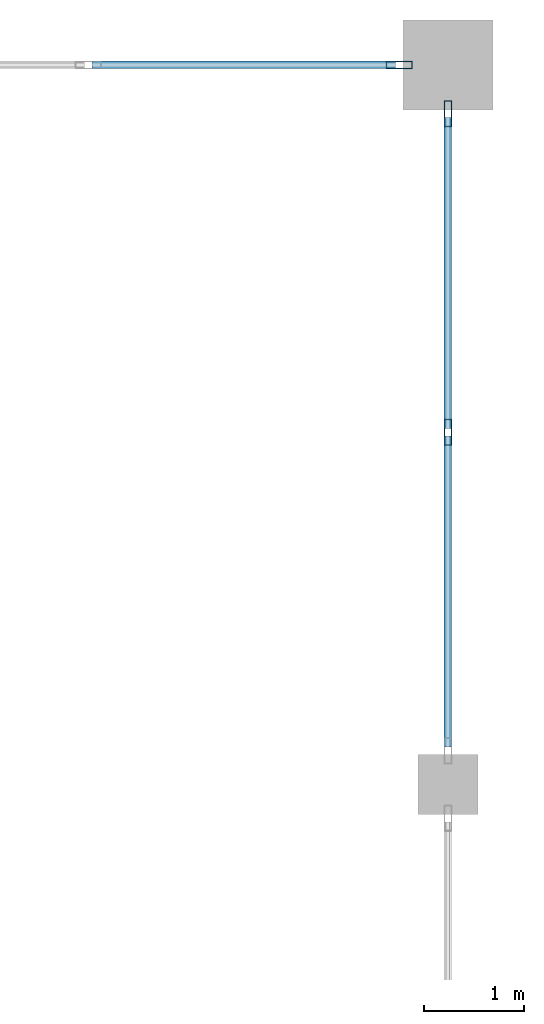
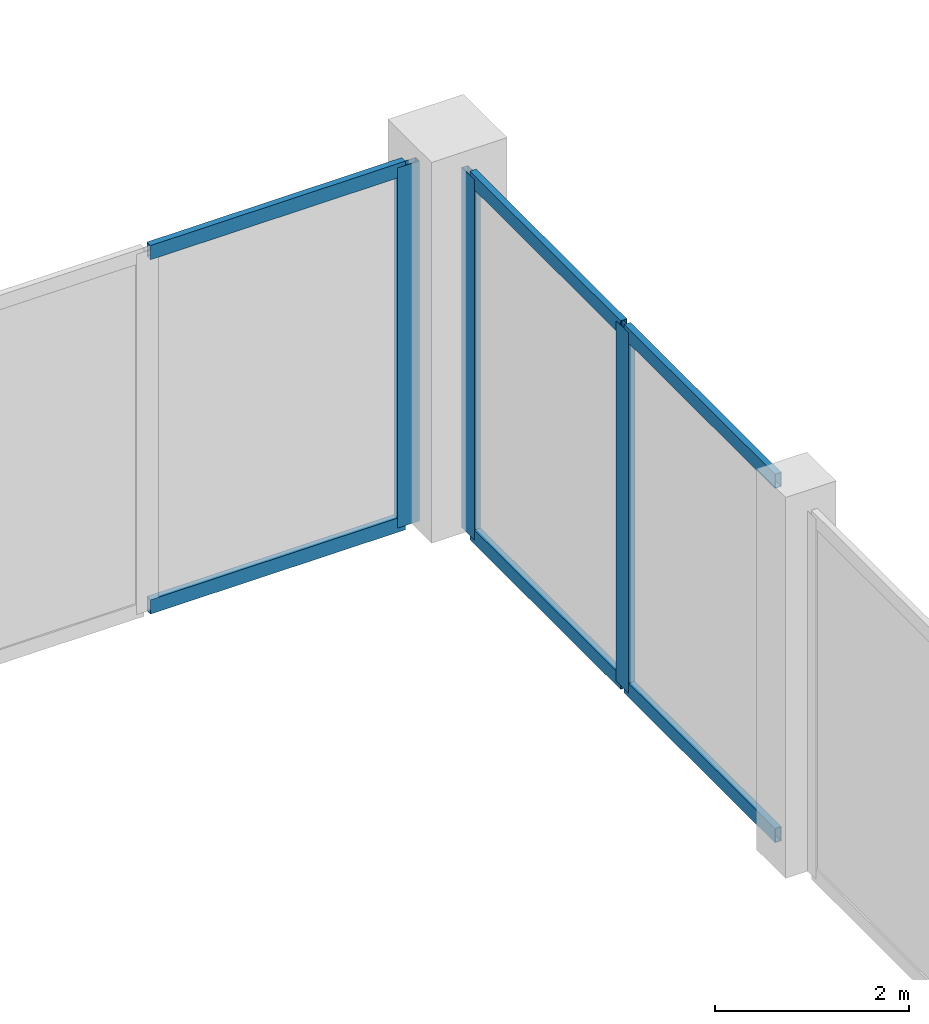
# One storey, part 32 of 99: 9 members, 2 elements without a shape of their own.
"""IFC4 building model written with IfcOpenShell, lengths in metres."""

from ifc_helpers import new_model, si_unit, direction, frame, origin, origin_2d, place, context, subcontext, project, spatial, hollow_rectangle, extrude, material, material_profile, profile_set, type_object, element, aggregate, save


model = new_model("IFC4")

# Units and contexts
model_context = context("Model", 3, precision=1e-05, world=origin(), true_north=direction((0.0, 1.0)))
body_context = subcontext(model_context, "Body", "Model", "MODEL_VIEW")
ifc_project = project(units=[si_unit("LENGTHUNIT", "METRE"), si_unit("AREAUNIT", "SQUARE_METRE"), si_unit("VOLUMEUNIT", "CUBIC_METRE"), si_unit("PLANEANGLEUNIT", "RADIAN"), si_unit("MASSUNIT", "GRAM", prefix="KILO")], contexts=[model_context])

# Site, building, storey
site_placement = place(None, origin())
site = spatial("IfcSite", under=ifc_project, at=site_placement, CompositionType="ELEMENT")
building_placement = place(site_placement, origin())
building = spatial("IfcBuilding", under=site, at=building_placement, Name="Vesperath Aquatics Centre", CompositionType="ELEMENT")
storey_placement = place(building_placement, frame((0.0, 0.0, 5.39990234375)))
storey = spatial("IfcBuildingStorey", under=building, at=storey_placement, Name="L01", CompositionType="ELEMENT", Elevation=5.39990234375)

# Curtain wall, member
ifc_material_1 = material(Name="Thermally broken anodised bronze aluminium curtain wall", Category="aluminium")
curtain_wall_type_1 = type_object("IfcCurtainWallType", Name="CW-02", PredefinedType="NOTDEFINED", material=ifc_material_1)
curtain_wall_1_placement = place(storey_placement, origin())
curtain_wall_1 = element("IfcCurtainWall", 1, at=curtain_wall_1_placement, inside=storey, type_object=curtain_wall_type_1, Name="Facade Curtain Wall CW02 L01_N_07_16", PredefinedType="NOTDEFINED")
ifc_material_2 = material(Name="Thermally broken anodised aluminium", Category="aluminium")
ifc_material_profile_1 = material_profile(ifc_material_2, hollow_rectangle(XDim=0.074951171875, YDim=0.260009765625, WallThickness=0.006103515625, at=origin_2d()), Name="CWM 75x260x6")
ifc_profile_set_1 = profile_set([ifc_material_profile_1], Name="Thermally broken anodised aluminium")
member_type_1 = type_object("IfcMemberType", Name="MB-CWM1", PredefinedType="MULLION", material=ifc_profile_set_1)
member_1_placement = place(storey_placement, frame((57.112548828125, 115.199951171875, 0.0), z_axis=(0.0, 0.0, 1.0), x_axis=(0.0, 1.0, 0.0)))
member_1 = element("IfcMember", 2, at=member_1_placement, type_object=member_type_1, Name="CW02 mullion 3", PredefinedType="MULLION", context=body_context, shape_type="SweptSolid", body=[
    extrude(hollow_rectangle(XDim=0.074951171875, YDim=0.260009765625, WallThickness=0.006103515625, at=origin_2d()), origin(), (0.0, 0.0, 1.0), 4.5400390625),
])

# Curtain wall, members
curtain_wall_type_2 = type_object("IfcCurtainWallType", Name="CW-06", PredefinedType="NOTDEFINED", material=ifc_material_1)
curtain_wall_2_placement = place(storey_placement, origin())
curtain_wall_2 = element("IfcCurtainWall", 3, at=curtain_wall_2_placement, inside=storey, type_object=curtain_wall_type_2, Name="Facade Curtain Wall CW06 L01_E_08_15", PredefinedType="NOTDEFINED")
member_2_placement = place(storey_placement, frame((57.60009765625, 111.52490234375, 0.0), z_axis=(0.0, 0.0, 1.0), x_axis=(-1.0, 0.0, 0.0)))
member_2 = element("IfcMember", 4, at=member_2_placement, type_object=member_type_1, Name="CW06 mullion 2", PredefinedType="MULLION", context=body_context, shape_type="SweptSolid", body=[
    extrude(hollow_rectangle(XDim=0.074951171875, YDim=0.260009765625, WallThickness=0.006103515625, at=origin_2d()), origin(), (0.0, 0.0, 1.0), 4.5400390625),
])
member_3_placement = place(storey_placement, frame((57.60009765625, 114.71240234375, 0.0), z_axis=(0.0, 0.0, 1.0), x_axis=(-1.0, 0.0, 0.0)))
member_3 = element("IfcMember", 5, at=member_3_placement, type_object=member_type_1, Name="CW06 mullion 3", PredefinedType="MULLION", context=body_context, shape_type="SweptSolid", body=[
    extrude(hollow_rectangle(XDim=0.074951171875, YDim=0.260009765625, WallThickness=0.006103515625, at=origin_2d()), origin(), (0.0, 0.0, 1.0), 4.5400390625),
])

# Member
ifc_material_profile_2 = material_profile(ifc_material_2, hollow_rectangle(XDim=0.074951171875, YDim=0.179931640625, WallThickness=0.0048828125, at=origin_2d()), Name="CWT 75x180x5")
ifc_profile_set_2 = profile_set([ifc_material_profile_2], Name="Thermally broken anodised aluminium")
member_type_2 = type_object("IfcMemberType", Name="MB-CWT1", PredefinedType="USERDEFINED", material=ifc_profile_set_2)
member_4_placement = place(storey_placement, frame((54.03759765625, 115.199951171875, 0.03759765625), z_axis=(1.0, 0.0, 0.0), x_axis=(0.0, 1.0, 0.0)))
member_4 = element("IfcMember", 6, at=member_4_placement, type_object=member_type_2, Name="CW02 transom 2.1", ObjectType="TRANSOM", PredefinedType="USERDEFINED", context=body_context, shape_type="SweptSolid", body=[
    extrude(hollow_rectangle(XDim=0.074951171875, YDim=0.179931640625, WallThickness=0.0048828125, at=origin_2d()), origin(), (0.0, 0.0, 1.0), 3.037353515625),
])

member_5_placement = place(storey_placement, frame((54.03759765625, 115.199951171875, 4.502685546875), z_axis=(1.0, 0.0, 0.0), x_axis=(0.0, 1.0, 0.0)))
member_5 = element("IfcMember", 7, at=member_5_placement, type_object=member_type_2, Name="CW02 transom 2.2", ObjectType="TRANSOM", PredefinedType="USERDEFINED", context=body_context, shape_type="SweptSolid", body=[
    extrude(hollow_rectangle(XDim=0.074951171875, YDim=0.179931640625, WallThickness=0.0048828125, at=origin_2d()), origin(), (0.0, 0.0, 1.0), 3.037353515625),
])

aggregate(curtain_wall_1, [member_1, member_4, member_5])

member_6_placement = place(storey_placement, frame((57.60009765625, 108.375, 0.03759765625), z_axis=(0.0, 1.0, 0.0), x_axis=(-1.0, 0.0, 0.0)))
member_6 = element("IfcMember", 8, at=member_6_placement, type_object=member_type_2, Name="CW06 transom 1.1", ObjectType="TRANSOM", PredefinedType="USERDEFINED", context=body_context, shape_type="SweptSolid", body=[
    extrude(hollow_rectangle(XDim=0.074951171875, YDim=0.179931640625, WallThickness=0.0048828125, at=origin_2d()), origin(), (0.0, 0.0, 1.0), 3.112548828125),
])

member_7_placement = place(storey_placement, frame((57.60009765625, 108.375, 4.502685546875), z_axis=(0.0, 1.0, 0.0), x_axis=(-1.0, 0.0, 0.0)))
member_7 = element("IfcMember", 9, at=member_7_placement, type_object=member_type_2, Name="CW06 transom 1.2", ObjectType="TRANSOM", PredefinedType="USERDEFINED", context=body_context, shape_type="SweptSolid", body=[
    extrude(hollow_rectangle(XDim=0.074951171875, YDim=0.179931640625, WallThickness=0.0048828125, at=origin_2d()), origin(), (0.0, 0.0, 1.0), 3.112548828125),
])

member_8_placement = place(storey_placement, frame((57.60009765625, 111.5625, 0.03759765625), z_axis=(0.0, 1.0, 0.0), x_axis=(-1.0, 0.0, 0.0)))
member_8 = element("IfcMember", 10, at=member_8_placement, type_object=member_type_2, Name="CW06 transom 2.1", ObjectType="TRANSOM", PredefinedType="USERDEFINED", context=body_context, shape_type="SweptSolid", body=[
    extrude(hollow_rectangle(XDim=0.074951171875, YDim=0.179931640625, WallThickness=0.0048828125, at=origin_2d()), origin(), (0.0, 0.0, 1.0), 3.112548828125),
])

member_9_placement = place(storey_placement, frame((57.60009765625, 111.5625, 4.502685546875), z_axis=(0.0, 1.0, 0.0), x_axis=(-1.0, 0.0, 0.0)))
member_9 = element("IfcMember", 11, at=member_9_placement, type_object=member_type_2, Name="CW06 transom 2.2", ObjectType="TRANSOM", PredefinedType="USERDEFINED", context=body_context, shape_type="SweptSolid", body=[
    extrude(hollow_rectangle(XDim=0.074951171875, YDim=0.179931640625, WallThickness=0.0048828125, at=origin_2d()), origin(), (0.0, 0.0, 1.0), 3.112548828125),
])

aggregate(curtain_wall_2, [member_2, member_3, member_6, member_7, member_8, member_9])

save(model, "model.ifc")
